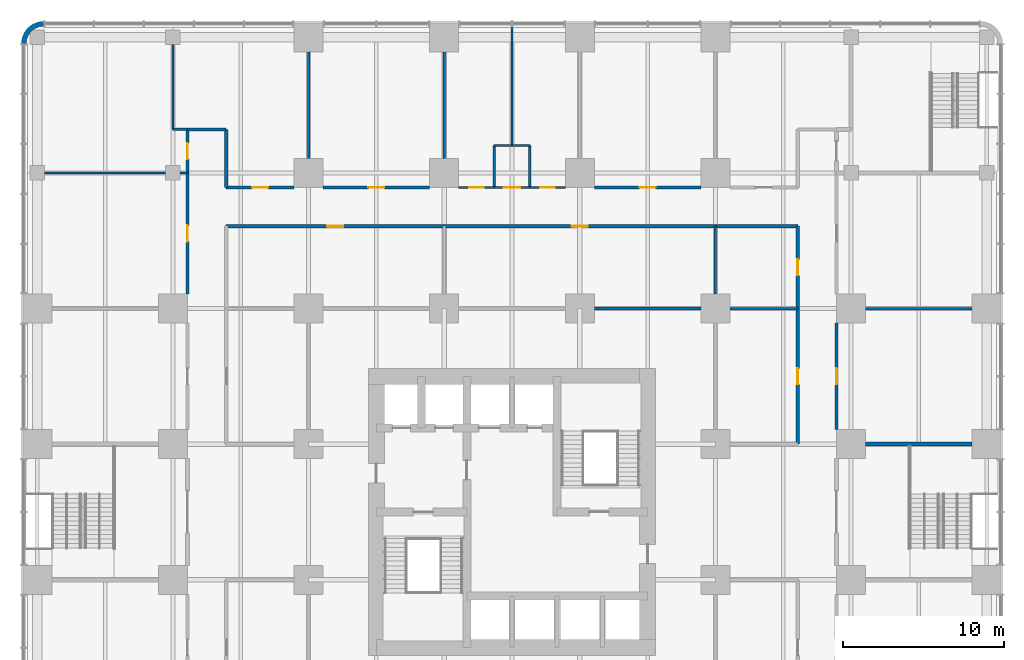
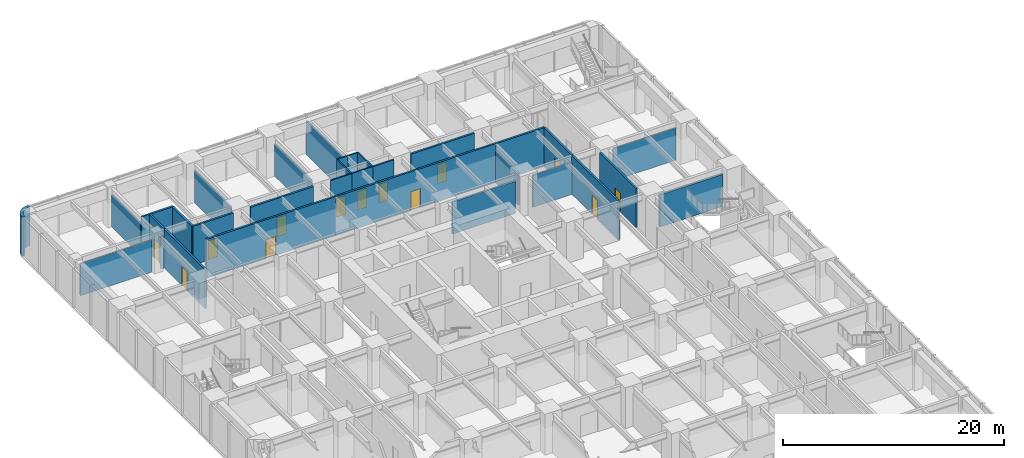
# One storey, part 14 of 19: 33 walls, 13 doors, 13 openings.
"""IFC4 building model written with IfcOpenShell, lengths in metres."""

from ifc_helpers import new_model, si_unit, direction, frame, frame_2d, origin, place, context, subcontext, project, spatial, polyline, rectangle, outline, extrude, material, layer, layer_set, type_object, element, fill, save


model = new_model("IFC4")

# Units and contexts
model_context = context("Model", 3, precision=1e-05, world=origin(), true_north=direction((0.0, 1.0)))
body_context = subcontext(model_context, "Body", "Model", "MODEL_VIEW")
ifc_project = project(units=[si_unit("LENGTHUNIT", "METRE"), si_unit("AREAUNIT", "SQUARE_METRE"), si_unit("VOLUMEUNIT", "CUBIC_METRE"), si_unit("PLANEANGLEUNIT", "RADIAN"), si_unit("MASSUNIT", "GRAM", prefix="KILO")], contexts=[model_context])

# Site, building, storey
site_placement = place(None, origin())
site = spatial("IfcSite", under=ifc_project, at=site_placement, CompositionType="ELEMENT")
building_placement = place(site_placement, origin())
building = spatial("IfcBuilding", under=site, at=building_placement, Name="Torre Alcanfor", CompositionType="ELEMENT")
storey_placement = place(building_placement, frame((0.0, 0.0, 6.0)))
storey = spatial("IfcBuildingStorey", under=building, at=storey_placement, Name="L01", CompositionType="ELEMENT", Elevation=6.0)

# Walls
ifc_material_1 = material(Name="Concrete block masonry, hollow blocks NMX-C-404 9 MPa", Category="masonry")
ifc_layer_1 = layer(ifc_material_1, 0.14990234375)
ifc_layer_set_1 = layer_set([ifc_layer_1], Name="Classroom partition 150")
wall_type_1 = type_object("IfcWallType", Name="Classroom partition 150", PredefinedType="PARTITIONING", material=ifc_layer_set_1)
wall_1_placement = place(storey_placement, frame((51.300048828125, 42.0, 0.0), z_axis=(0.0, 0.0, 1.0), x_axis=(1.0, 0.0, 0.0)))
element("IfcWall", 1, at=wall_1_placement, inside=storey, type_object=wall_type_1, Name="Partition L01-17 / L01-19", PredefinedType="PARTITIONING", context=body_context, shape_type="SweptSolid", body=[
    extrude(rectangle(XDim=6.599853515625, YDim=0.14990234375, at=frame_2d((3.2998046875, 0.0))), origin(), (0.0, 0.0, 1.0), 3.543212890625),
])
wall_2_placement = place(storey_placement, frame((0.449951171875, 50.39990234375, 0.0), z_axis=(0.0, 0.0, 1.0), x_axis=(1.0, 0.0, 0.0)))
element("IfcWall", 2, at=wall_2_placement, inside=storey, type_object=wall_type_1, Name="Partition L01-18 / L01-22", PredefinedType="PARTITIONING", context=body_context, shape_type="SweptSolid", body=[
    extrude(rectangle(XDim=7.5, YDim=0.14990234375, at=frame_2d((3.75, 0.0))), origin(), (0.0, 0.0, 1.0), 3.543212890625),
])
wall_3_placement = place(storey_placement, frame((8.85009765625, 50.39990234375, 0.0), z_axis=(0.0, 0.0, 1.0), x_axis=(1.0, 0.0, 0.0)))
element("IfcWall", 3, at=wall_3_placement, inside=storey, type_object=wall_type_1, Name="Partition L01-18 / L01-22", PredefinedType="PARTITIONING", context=body_context, shape_type="SweptSolid", body=[
    extrude(rectangle(XDim=0.449951171875, YDim=0.14990234375, at=frame_2d((0.22509765625, 0.0))), origin(), (0.0, 0.0, 1.0), 3.543212890625),
])
wall_4_placement = place(storey_placement, frame((16.800048828125, 51.300048828125, 0.0), z_axis=(0.0, 0.0, 1.0), x_axis=(0.0, 1.0, 0.0)))
element("IfcWall", 4, at=wall_4_placement, inside=storey, type_object=wall_type_1, Name="Partition L01-20 / L01-24", PredefinedType="PARTITIONING", context=body_context, shape_type="SweptSolid", body=[
    extrude(rectangle(XDim=6.599853515625, YDim=0.14990234375, at=frame_2d((3.2998046875, 0.0))), origin(), (0.0, 0.0, 1.0), 3.543212890625),
])
wall_5_placement = place(storey_placement, frame((8.39990234375, 58.35009765625, 0.0), z_axis=(0.0, 0.0, 1.0), x_axis=(0.0, -1.0, 0.0)))
element("IfcWall", 5, at=wall_5_placement, inside=storey, type_object=wall_type_1, Name="Partition L01-22 / L01-24", PredefinedType="PARTITIONING", context=body_context, shape_type="SweptSolid", body=[
    extrude(rectangle(XDim=5.25, YDim=0.14990234375, at=frame_2d((2.625, 0.0))), origin(), (0.0, 0.0, 1.0), 3.543212890625),
])
wall_6_placement = place(storey_placement, frame((8.39990234375, 53.10009765625, 0.0), z_axis=(0.0, 0.0, 1.0), x_axis=(1.0, 0.0, 0.0)))
element("IfcWall", 6, at=wall_6_placement, inside=storey, type_object=wall_type_1, Name="Partition L01-22 / L01-24", PredefinedType="PARTITIONING", context=body_context, shape_type="SweptSolid", body=[
    extrude(rectangle(XDim=0.900146484375, YDim=0.14990234375, at=frame_2d((0.4501953125, 0.0))), origin(), (0.0, 0.0, 1.0), 4.300048828125),
])
for number, where, z_axis, x_axis, name in (
    (7, (42.89990234375, 42.0, 0.0), (0.0, 0.0, 1.0), (1.0, 0.0, 0.0), "Partition L01-I11 / L01-I14"),
    (8, (42.0, 47.10009765625, 0.0), (0.0, 0.0, 1.0), (0.0, -1.0, 0.0), "Partition L01-I13 / L01-I14"),
):
    element("IfcWall", number, at=place(storey_placement, frame(where, z_axis=z_axis, x_axis=x_axis)), inside=storey, type_object=wall_type_1, Name=name, PredefinedType="PARTITIONING", context=body_context, shape_type="SweptSolid", body=[
        extrude(rectangle(XDim=4.2001953125, YDim=0.14990234375, at=frame_2d((2.10009765625, 0.0))), origin(), (0.0, 0.0, 1.0), 3.543212890625),
    ])
ifc_material_2 = material(Name="Limestone cladding", Category="masonry")
ifc_layer_2 = layer(ifc_material_2, 0.0400390625, Name="Facing")
ifc_material_3 = material(Name="Ventilated air cavity")
ifc_layer_3 = layer(ifc_material_3, 0.02001953125, ventilated=True, Name="Ventilated joint")
ifc_material_4 = material(Name="Mineral wool insulation", Category="insulation")
ifc_layer_4 = layer(ifc_material_4, 0.10009765625, Name="Insulation")
ifc_material_5 = material(Name="Concrete f'c 35 MPa", Category="concrete")
ifc_layer_5 = layer(ifc_material_5, 0.139892578125, Name="Backing")
ifc_layer_set_2 = layer_set([ifc_layer_2, ifc_layer_3, ifc_layer_4, ifc_layer_5], Name="Rounded corner pier stone-clad 300")
wall_type_2 = type_object("IfcWallType", Name="Rounded corner pier stone-clad 300", PredefinedType="SOLIDWALL", material=ifc_layer_set_2)
wall_7_placement = place(storey_placement, frame((0.444811019, 59.647901787, 0.0), z_axis=(0.0, 0.0, 1.0), x_axis=(-0.707106781187, 0.707106781187, 0.0)))
element("IfcWall", 9, at=wall_7_placement, inside=storey, type_object=wall_type_2, Name="Corner pier L01 6", PredefinedType="SOLIDWALL", context=body_context, shape_type="SweptSolid", body=[
    extrude(outline(polyline([(0.1391667998288333, 1.9041045383070583), (-0.10079375335703122, 1.719731969384394), (-0.08681044054548093, 1.7057486565728435), (0.09963373027519085, 1.4626807005399678), (0.20925599737808592, 1.1980335580695145), (0.24654483154222023, 0.9142240980424918), (0.2092559973780859, 0.6300693710324682), (0.09963373027519096, 0.3654222285620147), (-0.08681044054548079, 0.12235427252913894), (-0.10079375335703117, 0.10837095971758856), (0.139339433320334, -0.07582897571357508), (0.36169137037313503, 0.2141952900074698), (0.5015244984886389, 0.5518663993826864), (0.5491713421428104, 0.9140514645509912), (0.5016971319801394, 1.2764091632107966), (0.36169137037313503, 1.614252906077514), (0.1391667998288333, 1.9041045383070583)])), origin(), (0.0, 0.0, 1.0), 4.300048828125),
])

# Wall, opening, door
ifc_material_6 = material(Name="Concrete block masonry, hollow blocks NMX-C-404 9 MPa", Category="masonry")
ifc_layer_6 = layer(ifc_material_6, 0.199951171875)
ifc_layer_set_3 = layer_set([ifc_layer_6], Name="School corridor wall 200")
wall_type_3 = type_object("IfcWallType", Name="School corridor wall 200", PredefinedType="PARTITIONING", material=ifc_layer_set_3)
wall_8_placement = place(storey_placement, frame((49.5, 34.5, 0.0), z_axis=(0.0, 0.0, 1.0), x_axis=(0.0, 1.0, 0.0)))
wall_8 = element("IfcWall", 10, at=wall_8_placement, inside=storey, type_object=wall_type_3, Name="Partition L01-17 / L01-CORR", PredefinedType="PARTITIONING", context=body_context, shape_type="SweptSolid", body=[
    extrude(rectangle(XDim=6.60009765625, YDim=0.199951171875, at=frame_2d((3.300048828125, 0.0))), origin(), (0.0, 0.0, 1.0), 4.300048828125),
])
opening_1_placement = place(wall_8_placement, frame((2.800048828125, 0.0, 0.0)))
opening_1 = element("IfcOpeningElement", 11, at=opening_1_placement, cuts=wall_8, Name="Opening D-C1", PredefinedType="OPENING", context=body_context, shape_type="SweptSolid", body=[
    extrude(rectangle(XDim=1.0, YDim=2.10009765625, at=frame_2d((0.5, 1.050048828125))), frame((0.0, 0.10986328125, 0.0), z_axis=(0.0, -1.0, 0.0), x_axis=(1.0, 0.0, 0.0)), (0.0, 0.0, 1.0), 0.219970703125),
])
ifc_material_7 = material(Name="Timber", Category="wood")
door_type_1 = type_object("IfcDoorType", Name="Classroom door 1000x2100", OperationType="SINGLE_SWING_RIGHT", PredefinedType="DOOR", material=ifc_material_7)
door_1_placement = place(opening_1_placement, frame((1.0, 0.0, 0.0), z_axis=(0.0, 0.0, 1.0), x_axis=(-1.0, 0.0, 0.0)))
door_1 = element("IfcDoor", 12, at=door_1_placement, inside=storey, type_object=door_type_1, Name="Door L01-17 classroom", OperationType="SINGLE_SWING_RIGHT", OverallHeight=2.10009765625, OverallWidth=1.0, PredefinedType="DOOR", context=body_context, shape_type="SweptSolid", body=[
    extrude(rectangle(XDim=1.0, YDim=2.10009765625, at=frame_2d((0.5, 1.050048828125))), frame((0.0, 0.025146484375, 0.0), z_axis=(0.0, -1.0, 0.0), x_axis=(1.0, 0.0, 0.0)), (0.0, 0.0, 1.0), 0.050048828125),
])
fill(opening_1, door_1)

wall_9_placement = place(storey_placement, frame((9.300048828125, 50.39990234375, 0.0), z_axis=(0.0, 0.0, 1.0), x_axis=(0.0, -1.0, 0.0)))
wall_9 = element("IfcWall", 13, at=wall_9_placement, inside=storey, type_object=wall_type_3, Name="Partition L01-18 / L01-CORR", PredefinedType="PARTITIONING", context=body_context, shape_type="SweptSolid", body=[
    extrude(rectangle(XDim=7.5, YDim=0.199951171875, at=frame_2d((3.75, 0.0))), origin(), (0.0, 0.0, 1.0), 4.300048828125),
])
opening_2_placement = place(wall_9_placement, frame((3.25, 0.0, 0.0)))
opening_2 = element("IfcOpeningElement", 14, at=opening_2_placement, cuts=wall_9, Name="Opening D-C1", PredefinedType="OPENING", context=body_context, shape_type="SweptSolid", body=[
    extrude(rectangle(XDim=1.0, YDim=2.10009765625, at=frame_2d((0.5, 1.050048828125))), frame((0.0, 0.10986328125, 0.0), z_axis=(0.0, -1.0, 0.0), x_axis=(1.0, 0.0, 0.0)), (0.0, 0.0, 1.0), 0.219970703125),
])
door_2_placement = place(opening_2_placement, frame((1.0, 0.0, 0.0), z_axis=(0.0, 0.0, 1.0), x_axis=(-1.0, 0.0, 0.0)))
door_2 = element("IfcDoor", 15, at=door_2_placement, inside=storey, type_object=door_type_1, Name="Door L01-18 classroom", OperationType="SINGLE_SWING_RIGHT", OverallHeight=2.10009765625, OverallWidth=1.0, PredefinedType="DOOR", context=body_context, shape_type="SweptSolid", body=[
    extrude(rectangle(XDim=1.0, YDim=2.10009765625, at=frame_2d((0.5, 1.050048828125))), frame((0.0, 0.025146484375, 0.0), z_axis=(0.0, -1.0, 0.0), x_axis=(1.0, 0.0, 0.0)), (0.0, 0.0, 1.0), 0.050048828125),
])
fill(opening_2, door_2)

wall_10_placement = place(storey_placement, frame((24.300048828125, 49.5, 0.0), z_axis=(0.0, 0.0, 1.0), x_axis=(-1.0, 0.0, 0.0)))
wall_10 = element("IfcWall", 16, at=wall_10_placement, inside=storey, type_object=wall_type_3, Name="Partition L01-20 / L01-CORR", PredefinedType="PARTITIONING", context=body_context, shape_type="SweptSolid", body=[
    extrude(rectangle(XDim=6.60009765625, YDim=0.199951171875, at=frame_2d((3.300048828125, 0.0))), origin(), (0.0, 0.0, 1.0), 4.300048828125),
])
opening_3_placement = place(wall_10_placement, frame((2.800048828125, 0.0, 0.0)))
opening_3 = element("IfcOpeningElement", 17, at=opening_3_placement, cuts=wall_10, Name="Opening D-C1", PredefinedType="OPENING", context=body_context, shape_type="SweptSolid", body=[
    extrude(rectangle(XDim=1.0, YDim=2.10009765625, at=frame_2d((0.5, 1.050048828125))), frame((0.0, 0.10986328125, 0.0), z_axis=(0.0, -1.0, 0.0), x_axis=(1.0, 0.0, 0.0)), (0.0, 0.0, 1.0), 0.219970703125),
])
door_3_placement = place(opening_3_placement, frame((1.0, 0.0, 0.0), z_axis=(0.0, 0.0, 1.0), x_axis=(-1.0, 0.0, 0.0)))
door_3 = element("IfcDoor", 18, at=door_3_placement, inside=storey, type_object=door_type_1, Name="Door L01-20 classroom", OperationType="SINGLE_SWING_RIGHT", OverallHeight=2.10009765625, OverallWidth=1.0, PredefinedType="DOOR", context=body_context, shape_type="SweptSolid", body=[
    extrude(rectangle(XDim=1.0, YDim=2.10009765625, at=frame_2d((0.5, 1.050048828125))), frame((0.0, 0.025146484375, 0.0), z_axis=(0.0, -1.0, 0.0), x_axis=(1.0, 0.0, 0.0)), (0.0, 0.0, 1.0), 0.050048828125),
])
fill(opening_3, door_3)

wall_11_placement = place(storey_placement, frame((41.10009765625, 49.5, 0.0), z_axis=(0.0, 0.0, 1.0), x_axis=(-1.0, 0.0, 0.0)))
wall_11 = element("IfcWall", 19, at=wall_11_placement, inside=storey, type_object=wall_type_3, Name="Partition L01-21 / L01-CORR", PredefinedType="PARTITIONING", context=body_context, shape_type="SweptSolid", body=[
    extrude(rectangle(XDim=6.60009765625, YDim=0.199951171875, at=frame_2d((3.300048828125, 0.0))), origin(), (0.0, 0.0, 1.0), 4.300048828125),
])
opening_4_placement = place(wall_11_placement, frame((2.800048828125, 0.0, 0.0)))
opening_4 = element("IfcOpeningElement", 20, at=opening_4_placement, cuts=wall_11, Name="Opening D-C1", PredefinedType="OPENING", context=body_context, shape_type="SweptSolid", body=[
    extrude(rectangle(XDim=1.0, YDim=2.10009765625, at=frame_2d((0.5, 1.050048828125))), frame((0.0, 0.10986328125, 0.0), z_axis=(0.0, -1.0, 0.0), x_axis=(1.0, 0.0, 0.0)), (0.0, 0.0, 1.0), 0.219970703125),
])
door_4_placement = place(opening_4_placement, frame((1.0, 0.0, 0.0), z_axis=(0.0, 0.0, 1.0), x_axis=(-1.0, 0.0, 0.0)))
door_4 = element("IfcDoor", 21, at=door_4_placement, inside=storey, type_object=door_type_1, Name="Door L01-21 classroom", OperationType="SINGLE_SWING_RIGHT", OverallHeight=2.10009765625, OverallWidth=1.0, PredefinedType="DOOR", context=body_context, shape_type="SweptSolid", body=[
    extrude(rectangle(XDim=1.0, YDim=2.10009765625, at=frame_2d((0.5, 1.050048828125))), frame((0.0, 0.025146484375, 0.0), z_axis=(0.0, -1.0, 0.0), x_axis=(1.0, 0.0, 0.0)), (0.0, 0.0, 1.0), 0.050048828125),
])
fill(opening_4, door_4)

wall_12_placement = place(storey_placement, frame((9.300048828125, 53.10009765625, 0.0), z_axis=(0.0, 0.0, 1.0), x_axis=(0.0, -1.0, 0.0)))
wall_12 = element("IfcWall", 22, at=wall_12_placement, inside=storey, type_object=wall_type_3, Name="Partition L01-22 / L01-CORR", PredefinedType="PARTITIONING", context=body_context, shape_type="SweptSolid", body=[
    extrude(rectangle(XDim=2.7001953125, YDim=0.199951171875, at=frame_2d((1.35009765625, 0.0))), origin(), (0.0, 0.0, 1.0), 4.300048828125),
])
opening_5_placement = place(wall_12_placement, frame((0.85009765625, 0.0, 0.0)))
opening_5 = element("IfcOpeningElement", 23, at=opening_5_placement, cuts=wall_12, Name="Opening D-C1", PredefinedType="OPENING", context=body_context, shape_type="SweptSolid", body=[
    extrude(rectangle(XDim=1.0, YDim=2.10009765625, at=frame_2d((0.5, 1.050048828125))), frame((0.0, 0.10986328125, 0.0), z_axis=(0.0, -1.0, 0.0), x_axis=(1.0, 0.0, 0.0)), (0.0, 0.0, 1.0), 0.219970703125),
])
door_5_placement = place(opening_5_placement, frame((1.0, 0.0, 0.0), z_axis=(0.0, 0.0, 1.0), x_axis=(-1.0, 0.0, 0.0)))
door_5 = element("IfcDoor", 24, at=door_5_placement, inside=storey, type_object=door_type_1, Name="Door L01-22 classroom", OperationType="SINGLE_SWING_RIGHT", OverallHeight=2.10009765625, OverallWidth=1.0, PredefinedType="DOOR", context=body_context, shape_type="SweptSolid", body=[
    extrude(rectangle(XDim=1.0, YDim=2.10009765625, at=frame_2d((0.5, 1.050048828125))), frame((0.0, 0.025146484375, 0.0), z_axis=(0.0, -1.0, 0.0), x_axis=(1.0, 0.0, 0.0)), (0.0, 0.0, 1.0), 0.050048828125),
])
fill(opening_5, door_5)

wall_13_placement = place(storey_placement, frame((15.89990234375, 49.5, 0.0), z_axis=(0.0, 0.0, 1.0), x_axis=(-1.0, 0.0, 0.0)))
wall_13 = element("IfcWall", 25, at=wall_13_placement, inside=storey, type_object=wall_type_3, Name="Partition L01-24 / L01-CORR", PredefinedType="PARTITIONING", context=body_context, shape_type="SweptSolid", body=[
    extrude(rectangle(XDim=4.199951171875, YDim=0.199951171875, at=frame_2d((2.10009765625, 0.0))), origin(), (0.0, 0.0, 1.0), 4.300048828125),
])
opening_6_placement = place(wall_13_placement, frame((1.60009765625, 0.0, 0.0)))
opening_6 = element("IfcOpeningElement", 26, at=opening_6_placement, cuts=wall_13, Name="Opening D-C1", PredefinedType="OPENING", context=body_context, shape_type="SweptSolid", body=[
    extrude(rectangle(XDim=1.0, YDim=2.10009765625, at=frame_2d((0.5, 1.050048828125))), frame((0.0, 0.10986328125, 0.0), z_axis=(0.0, -1.0, 0.0), x_axis=(1.0, 0.0, 0.0)), (0.0, 0.0, 1.0), 0.219970703125),
])
door_6_placement = place(opening_6_placement, frame((1.0, 0.0, 0.0), z_axis=(0.0, 0.0, 1.0), x_axis=(-1.0, 0.0, 0.0)))
door_6 = element("IfcDoor", 27, at=door_6_placement, inside=storey, type_object=door_type_1, Name="Door L01-24 classroom", OperationType="SINGLE_SWING_RIGHT", OverallHeight=2.10009765625, OverallWidth=1.0, PredefinedType="DOOR", context=body_context, shape_type="SweptSolid", body=[
    extrude(rectangle(XDim=1.0, YDim=2.10009765625, at=frame_2d((0.5, 1.050048828125))), frame((0.0, 0.025146484375, 0.0), z_axis=(0.0, -1.0, 0.0), x_axis=(1.0, 0.0, 0.0)), (0.0, 0.0, 1.0), 0.050048828125),
])
fill(opening_6, door_6)

# Walls
wall_14_placement = place(storey_placement, frame((11.699951171875, 49.5, 0.0), z_axis=(0.0, 0.0, 1.0), x_axis=(0.0, 1.0, 0.0)))
element("IfcWall", 28, at=wall_14_placement, inside=storey, type_object=wall_type_3, Name="Partition L01-24 / L01-CORR", PredefinedType="PARTITIONING", context=body_context, shape_type="SweptSolid", body=[
    extrude(rectangle(XDim=3.60009765625, YDim=0.199951171875, at=frame_2d((1.800048828125, 0.0))), origin(), (0.0, 0.0, 1.0), 4.300048828125),
])
wall_15_placement = place(storey_placement, frame((11.699951171875, 53.10009765625, 0.0), z_axis=(0.0, 0.0, 1.0), x_axis=(-1.0, 0.0, 0.0)))
element("IfcWall", 29, at=wall_15_placement, inside=storey, type_object=wall_type_3, Name="Partition L01-24 / L01-CORR", PredefinedType="PARTITIONING", context=body_context, shape_type="SweptSolid", body=[
    extrude(rectangle(XDim=2.39990234375, YDim=0.199951171875, at=frame_2d((1.199951171875, 0.0))), origin(), (0.0, 0.0, 1.0), 4.300048828125),
])

# Wall, opening, door
wall_16_placement = place(storey_placement, frame((47.10009765625, 33.60009765625, 0.0), z_axis=(0.0, 0.0, 1.0), x_axis=(0.0, 1.0, 0.0)))
wall_16 = element("IfcWall", 30, at=wall_16_placement, inside=storey, type_object=wall_type_3, Name="Partition L01-CORR / L01-I11", PredefinedType="PARTITIONING", context=body_context, shape_type="SweptSolid", body=[
    extrude(rectangle(XDim=8.39990234375, YDim=0.199951171875, at=frame_2d((4.199951171875, 0.0))), origin(), (0.0, 0.0, 1.0), 4.300048828125),
])
opening_7_placement = place(wall_16_placement, frame((3.699951171875, 0.0, 0.0)))
opening_7 = element("IfcOpeningElement", 31, at=opening_7_placement, cuts=wall_16, Name="Opening D-C1", PredefinedType="OPENING", context=body_context, shape_type="SweptSolid", body=[
    extrude(rectangle(XDim=1.0, YDim=2.10009765625, at=frame_2d((0.5, 1.050048828125))), frame((0.0, 0.10986328125, 0.0), z_axis=(0.0, -1.0, 0.0), x_axis=(1.0, 0.0, 0.0)), (0.0, 0.0, 1.0), 0.219970703125),
])
door_7_placement = place(opening_7_placement, origin())
door_7 = element("IfcDoor", 32, at=door_7_placement, inside=storey, type_object=door_type_1, Name="Door L01-I11 practice room", OperationType="SINGLE_SWING_LEFT", OverallHeight=2.10009765625, OverallWidth=1.0, PredefinedType="DOOR", context=body_context, shape_type="SweptSolid", body=[
    extrude(rectangle(XDim=1.0, YDim=2.10009765625, at=frame_2d((0.5, 1.050048828125))), frame((0.0, 0.02490234375, 0.0), z_axis=(0.0, -1.0, 0.0), x_axis=(1.0, 0.0, 0.0)), (0.0, 0.0, 1.0), 0.050048828125),
])
fill(opening_7, door_7)

wall_17_placement = place(storey_placement, frame((25.199951171875, 47.10009765625, 0.0), z_axis=(0.0, 0.0, 1.0), x_axis=(-1.0, 0.0, 0.0)))
wall_17 = element("IfcWall", 33, at=wall_17_placement, inside=storey, type_object=wall_type_3, Name="Partition L01-CORR / L01-I12", PredefinedType="PARTITIONING", context=body_context, shape_type="SweptSolid", body=[
    extrude(rectangle(XDim=13.5, YDim=0.199951171875, at=frame_2d((6.75, 0.0))), origin(), (0.0, 0.0, 1.0), 4.300048828125),
])
opening_8_placement = place(wall_17_placement, frame((6.25, 0.0, 0.0)))
opening_8 = element("IfcOpeningElement", 34, at=opening_8_placement, cuts=wall_17, Name="Opening D-C1", PredefinedType="OPENING", context=body_context, shape_type="SweptSolid", body=[
    extrude(rectangle(XDim=1.0, YDim=2.10009765625, at=frame_2d((0.5, 1.050048828125))), frame((0.0, 0.10986328125, 0.0), z_axis=(0.0, -1.0, 0.0), x_axis=(1.0, 0.0, 0.0)), (0.0, 0.0, 1.0), 0.219970703125),
])
door_8_placement = place(opening_8_placement, origin())
door_8 = element("IfcDoor", 35, at=door_8_placement, inside=storey, type_object=door_type_1, Name="Door L01-I12 art room", OperationType="SINGLE_SWING_LEFT", OverallHeight=2.10009765625, OverallWidth=1.0, PredefinedType="DOOR", context=body_context, shape_type="SweptSolid", body=[
    extrude(rectangle(XDim=1.0, YDim=2.10009765625, at=frame_2d((0.5, 1.050048828125))), frame((0.0, 0.02490234375, 0.0), z_axis=(0.0, -1.0, 0.0), x_axis=(1.0, 0.0, 0.0)), (0.0, 0.0, 1.0), 0.050048828125),
])
fill(opening_8, door_8)

wall_18_placement = place(storey_placement, frame((42.0, 47.10009765625, 0.0), z_axis=(0.0, 0.0, 1.0), x_axis=(-1.0, 0.0, 0.0)))
wall_18 = element("IfcWall", 36, at=wall_18_placement, inside=storey, type_object=wall_type_3, Name="Partition L01-CORR / L01-I13", PredefinedType="PARTITIONING", context=body_context, shape_type="SweptSolid", body=[
    extrude(rectangle(XDim=16.800048828125, YDim=0.199951171875, at=frame_2d((8.39990234375, 0.0))), origin(), (0.0, 0.0, 1.0), 4.300048828125),
])
opening_9_placement = place(wall_18_placement, frame((7.89990234375, 0.0, 0.0)))
opening_9 = element("IfcOpeningElement", 37, at=opening_9_placement, cuts=wall_18, Name="Opening D-C1", PredefinedType="OPENING", context=body_context, shape_type="SweptSolid", body=[
    extrude(rectangle(XDim=1.0, YDim=2.10009765625, at=frame_2d((0.5, 1.050048828125))), frame((0.0, 0.10986328125, 0.0), z_axis=(0.0, -1.0, 0.0), x_axis=(1.0, 0.0, 0.0)), (0.0, 0.0, 1.0), 0.219970703125),
])
door_9_placement = place(opening_9_placement, origin())
door_9 = element("IfcDoor", 38, at=door_9_placement, inside=storey, type_object=door_type_1, Name="Door L01-I13 music room", OperationType="SINGLE_SWING_LEFT", OverallHeight=2.10009765625, OverallWidth=1.0, PredefinedType="DOOR", context=body_context, shape_type="SweptSolid", body=[
    extrude(rectangle(XDim=1.0, YDim=2.10009765625, at=frame_2d((0.5, 1.050048828125))), frame((0.0, 0.02490234375, 0.0), z_axis=(0.0, -1.0, 0.0), x_axis=(1.0, 0.0, 0.0)), (0.0, 0.0, 1.0), 0.050048828125),
])
fill(opening_9, door_9)

wall_19_placement = place(storey_placement, frame((47.10009765625, 42.0, 0.0), z_axis=(0.0, 0.0, 1.0), x_axis=(0.0, 1.0, 0.0)))
wall_19 = element("IfcWall", 39, at=wall_19_placement, inside=storey, type_object=wall_type_3, Name="Partition L01-CORR / L01-I14", PredefinedType="PARTITIONING", context=body_context, shape_type="SweptSolid", body=[
    extrude(rectangle(XDim=5.10009765625, YDim=0.199951171875, at=frame_2d((2.550048828125, 0.0))), origin(), (0.0, 0.0, 1.0), 4.300048828125),
])
opening_10_placement = place(wall_19_placement, frame((2.050048828125, 0.0, 0.0)))
opening_10 = element("IfcOpeningElement", 40, at=opening_10_placement, cuts=wall_19, Name="Opening D-C1", PredefinedType="OPENING", context=body_context, shape_type="SweptSolid", body=[
    extrude(rectangle(XDim=1.0, YDim=2.10009765625, at=frame_2d((0.5, 1.050048828125))), frame((0.0, 0.10986328125, 0.0), z_axis=(0.0, -1.0, 0.0), x_axis=(1.0, 0.0, 0.0)), (0.0, 0.0, 1.0), 0.219970703125),
])
door_10_placement = place(opening_10_placement, origin())
door_10 = element("IfcDoor", 41, at=door_10_placement, inside=storey, type_object=door_type_1, Name="Door L01-I14 store", OperationType="SINGLE_SWING_LEFT", OverallHeight=2.10009765625, OverallWidth=1.0, PredefinedType="DOOR", context=body_context, shape_type="SweptSolid", body=[
    extrude(rectangle(XDim=1.0, YDim=2.10009765625, at=frame_2d((0.5, 1.050048828125))), frame((0.0, 0.02490234375, 0.0), z_axis=(0.0, -1.0, 0.0), x_axis=(1.0, 0.0, 0.0)), (0.0, 0.0, 1.0), 0.050048828125),
])
fill(opening_10, door_10)

# Walls
wall_20_placement = place(storey_placement, frame((47.10009765625, 47.10009765625, 0.0), z_axis=(0.0, 0.0, 1.0), x_axis=(-1.0, 0.0, 0.0)))
element("IfcWall", 42, at=wall_20_placement, inside=storey, type_object=wall_type_3, Name="Partition L01-CORR / L01-I14", PredefinedType="PARTITIONING", context=body_context, shape_type="SweptSolid", body=[
    extrude(rectangle(XDim=5.10009765625, YDim=0.199951171875, at=frame_2d((2.550048828125, 0.0))), origin(), (0.0, 0.0, 1.0), 4.300048828125),
])
wall_21_placement = place(storey_placement, frame((34.5, 42.0, 0.0), z_axis=(0.0, 0.0, 1.0), x_axis=(1.0, 0.0, 0.0)))
element("IfcWall", 43, at=wall_21_placement, inside=storey, type_object=wall_type_3, Name="Partition L01-LLE / L01-I13", PredefinedType="PARTITIONING", context=body_context, shape_type="SweptSolid", body=[
    extrude(rectangle(XDim=6.60009765625, YDim=0.199951171875, at=frame_2d((3.300048828125, 0.0))), origin(), (0.0, 0.0, 1.0), 3.543212890625),
])
ifc_material_8 = material(Name="Reinforced concrete block masonry, hollow blocks NMX-C-404 9 MPa", Category="masonry")
ifc_layer_7 = layer(ifc_material_8, 0.25)
ifc_layer_set_4 = layer_set([ifc_layer_7], Name="Stair enclosure wall 250 EI 120")
wall_type_4 = type_object("IfcWallType", Name="Stair enclosure wall 250 EI 120", PredefinedType="SOLIDWALL", material=ifc_layer_set_4)
wall_22_placement = place(storey_placement, frame((51.300048828125, 33.60009765625, 0.0), z_axis=(0.0, 0.0, 1.0), x_axis=(1.0, 0.0, 0.0)))
element("IfcWall", 44, at=wall_22_placement, inside=storey, type_object=wall_type_4, Name="Partition L01-SS2 / L01-17", PredefinedType="SOLIDWALL", context=body_context, shape_type="SweptSolid", body=[
    extrude(rectangle(XDim=6.599853515625, YDim=0.25, at=frame_2d((3.2998046875, 0.0))), origin(), (0.0, 0.0, 1.0), 3.543212890625),
])
ifc_material_9 = material(Name="Cement board on steel studs", Category="steel")
ifc_layer_8 = layer(ifc_material_9, 0.14990234375)
ifc_layer_set_5 = layer_set([ifc_layer_8], Name="Wet area partition 150")
wall_type_5 = type_object("IfcWallType", Name="Wet area partition 150", PredefinedType="PARTITIONING", material=ifc_layer_set_5)
wall_23_placement = place(storey_placement, frame((29.39990234375, 52.10009765625, 0.0), z_axis=(0.0, 0.0, 1.0), x_axis=(-1.0, 0.0, 0.0)))
element("IfcWall", 45, at=wall_23_placement, inside=storey, type_object=wall_type_5, Name="Partition L01-WCN1 / L01-WCN2", PredefinedType="PARTITIONING", context=body_context, shape_type="SweptSolid", body=[
    extrude(rectangle(XDim=1.099853515625, YDim=0.14990234375, at=frame_2d((0.5498046875, 0.0))), origin(), (0.0, 0.0, 1.0), 4.300048828125),
])
wall_24_placement = place(storey_placement, frame((28.300048828125, 52.10009765625, 0.0), z_axis=(0.0, 0.0, 1.0), x_axis=(0.0, -1.0, 0.0)))
element("IfcWall", 46, at=wall_24_placement, inside=storey, type_object=wall_type_5, Name="Partition L01-WCN1 / L01-WCN2", PredefinedType="PARTITIONING", context=body_context, shape_type="SweptSolid", body=[
    extrude(rectangle(XDim=2.60009765625, YDim=0.14990234375, at=frame_2d((1.300048828125, 0.0))), origin(), (0.0, 0.0, 1.0), 4.300048828125),
])
wall_25_placement = place(storey_placement, frame((29.39990234375, 59.5, 0.0), z_axis=(0.0, 0.0, 1.0), x_axis=(0.0, -1.0, 0.0)))
element("IfcWall", 47, at=wall_25_placement, inside=storey, type_object=wall_type_5, Name="Partition L01-WCN1 / L01-WCN3", PredefinedType="PARTITIONING", context=body_context, shape_type="SweptSolid", body=[
    extrude(rectangle(XDim=7.39990234375, YDim=0.14990234375, at=frame_2d((3.699951171875, 0.0))), origin(), (0.0, 0.0, 1.0), 3.68798828125),
])
wall_26_placement = place(storey_placement, frame((25.199951171875, 51.300048828125, 0.0), z_axis=(0.0, 0.0, 1.0), x_axis=(0.0, 1.0, 0.0)))
element("IfcWall", 48, at=wall_26_placement, inside=storey, type_object=wall_type_5, Name="Partition L01-WCN1 / L01-20", PredefinedType="PARTITIONING", context=body_context, shape_type="SweptSolid", body=[
    extrude(rectangle(XDim=6.599853515625, YDim=0.14990234375, at=frame_2d((3.2998046875, 0.0))), origin(), (0.0, 0.0, 1.0), 3.543212890625),
])

# Wall, opening, door
wall_27_placement = place(storey_placement, frame((28.300048828125, 49.5, 0.0), z_axis=(0.0, 0.0, 1.0), x_axis=(-1.0, 0.0, 0.0)))
wall_27 = element("IfcWall", 49, at=wall_27_placement, inside=storey, type_object=wall_type_5, Name="Partition L01-WCN1 / L01-CORR", PredefinedType="PARTITIONING", context=body_context, shape_type="SweptSolid", body=[
    extrude(rectangle(XDim=2.199951171875, YDim=0.14990234375, at=frame_2d((1.10009765625, 0.0))), origin(), (0.0, 0.0, 1.0), 4.300048828125),
])
opening_11_placement = place(wall_27_placement, frame((0.64990234375, 0.0, 0.0)))
opening_11 = element("IfcOpeningElement", 50, at=opening_11_placement, cuts=wall_27, Name="Opening D-W1", PredefinedType="OPENING", context=body_context, shape_type="SweptSolid", body=[
    extrude(rectangle(XDim=0.89990234375, YDim=2.10009765625, at=frame_2d((0.449951171875, 1.050048828125))), frame((0.0, 0.0849609375, 0.0), z_axis=(0.0, -1.0, 0.0), x_axis=(1.0, 0.0, 0.0)), (0.0, 0.0, 1.0), 0.169921875),
])
ifc_material_10 = material(Name="Timber", Category="wood")
door_type_2 = type_object("IfcDoorType", Name="Toilet door 900x2100", OperationType="SINGLE_SWING_LEFT", PredefinedType="DOOR", material=ifc_material_10)
door_11_placement = place(opening_11_placement, frame((0.89990234375, 0.0, 0.0), z_axis=(0.0, 0.0, 1.0), x_axis=(-1.0, 0.0, 0.0)))
door_11 = element("IfcDoor", 51, at=door_11_placement, inside=storey, type_object=door_type_2, Name="Door L01-WCN1 boys toilets", OperationType="SINGLE_SWING_RIGHT", OverallHeight=2.10009765625, OverallWidth=0.89990234375, PredefinedType="DOOR", context=body_context, shape_type="SweptSolid", body=[
    extrude(rectangle(XDim=0.89990234375, YDim=2.10009765625, at=frame_2d((0.449951171875, 1.050048828125))), frame((0.0, 0.025146484375, 0.0), z_axis=(0.0, -1.0, 0.0), x_axis=(1.0, 0.0, 0.0)), (0.0, 0.0, 1.0), 0.050048828125),
])
fill(opening_11, door_11)

# Walls
wall_28_placement = place(storey_placement, frame((29.39990234375, 52.10009765625, 0.0), z_axis=(0.0, 0.0, 1.0), x_axis=(1.0, 0.0, 0.0)))
element("IfcWall", 52, at=wall_28_placement, inside=storey, type_object=wall_type_5, Name="Partition L01-WCN2 / L01-WCN3", PredefinedType="PARTITIONING", context=body_context, shape_type="SweptSolid", body=[
    extrude(rectangle(XDim=1.10009765625, YDim=0.14990234375, at=frame_2d((0.550048828125, 0.0))), origin(), (0.0, 0.0, 1.0), 4.300048828125),
])
wall_29_placement = place(storey_placement, frame((30.5, 52.10009765625, 0.0), z_axis=(0.0, 0.0, 1.0), x_axis=(0.0, -1.0, 0.0)))
element("IfcWall", 53, at=wall_29_placement, inside=storey, type_object=wall_type_5, Name="Partition L01-WCN2 / L01-WCN3", PredefinedType="PARTITIONING", context=body_context, shape_type="SweptSolid", body=[
    extrude(rectangle(XDim=2.60009765625, YDim=0.14990234375, at=frame_2d((1.300048828125, 0.0))), origin(), (0.0, 0.0, 1.0), 4.300048828125),
])

# Wall, opening, door
wall_30_placement = place(storey_placement, frame((30.5, 49.5, 0.0), z_axis=(0.0, 0.0, 1.0), x_axis=(-1.0, 0.0, 0.0)))
wall_30 = element("IfcWall", 54, at=wall_30_placement, inside=storey, type_object=wall_type_5, Name="Partition L01-WCN2 / L01-CORR", PredefinedType="PARTITIONING", context=body_context, shape_type="SweptSolid", body=[
    extrude(rectangle(XDim=2.199951171875, YDim=0.14990234375, at=frame_2d((1.10009765625, 0.0))), origin(), (0.0, 0.0, 1.0), 4.300048828125),
])
opening_12_placement = place(wall_30_placement, frame((0.60009765625, 0.0, 0.0)))
opening_12 = element("IfcOpeningElement", 55, at=opening_12_placement, cuts=wall_30, Name="Opening D-W2", PredefinedType="OPENING", context=body_context, shape_type="SweptSolid", body=[
    extrude(rectangle(XDim=1.0, YDim=2.10009765625, at=frame_2d((0.5, 1.050048828125))), frame((0.0, 0.0849609375, 0.0), z_axis=(0.0, -1.0, 0.0), x_axis=(1.0, 0.0, 0.0)), (0.0, 0.0, 1.0), 0.169921875),
])
ifc_material_11 = material(Name="Timber", Category="wood")
door_type_3 = type_object("IfcDoorType", Name="Accessible WC door 1000x2100", OperationType="SINGLE_SWING_LEFT", PredefinedType="DOOR", material=ifc_material_11)
door_12_placement = place(opening_12_placement, origin())
door_12 = element("IfcDoor", 56, at=door_12_placement, inside=storey, type_object=door_type_3, Name="Door L01-WCN2 accessible wc", OperationType="SINGLE_SWING_LEFT", OverallHeight=2.10009765625, OverallWidth=1.0, PredefinedType="DOOR", context=body_context, shape_type="SweptSolid", body=[
    extrude(rectangle(XDim=1.0, YDim=2.10009765625, at=frame_2d((0.5, 1.050048828125))), frame((0.0, 0.02490234375, 0.0), z_axis=(0.0, -1.0, 0.0), x_axis=(1.0, 0.0, 0.0)), (0.0, 0.0, 1.0), 0.050048828125),
])
fill(opening_12, door_12)

wall_31_placement = place(storey_placement, frame((32.699951171875, 49.5, 0.0), z_axis=(0.0, 0.0, 1.0), x_axis=(-1.0, 0.0, 0.0)))
wall_31 = element("IfcWall", 57, at=wall_31_placement, inside=storey, type_object=wall_type_5, Name="Partition L01-WCN3 / L01-CORR", PredefinedType="PARTITIONING", context=body_context, shape_type="SweptSolid", body=[
    extrude(rectangle(XDim=2.199951171875, YDim=0.14990234375, at=frame_2d((1.10009765625, 0.0))), origin(), (0.0, 0.0, 1.0), 4.300048828125),
])
opening_13_placement = place(wall_31_placement, frame((0.64990234375, 0.0, 0.0)))
opening_13 = element("IfcOpeningElement", 58, at=opening_13_placement, cuts=wall_31, Name="Opening D-W1", PredefinedType="OPENING", context=body_context, shape_type="SweptSolid", body=[
    extrude(rectangle(XDim=0.89990234375, YDim=2.10009765625, at=frame_2d((0.449951171875, 1.050048828125))), frame((0.0, 0.0849609375, 0.0), z_axis=(0.0, -1.0, 0.0), x_axis=(1.0, 0.0, 0.0)), (0.0, 0.0, 1.0), 0.169921875),
])
door_13_placement = place(opening_13_placement, frame((0.89990234375, 0.0, 0.0), z_axis=(0.0, 0.0, 1.0), x_axis=(-1.0, 0.0, 0.0)))
door_13 = element("IfcDoor", 59, at=door_13_placement, inside=storey, type_object=door_type_2, Name="Door L01-WCN3 girls toilets", OperationType="SINGLE_SWING_RIGHT", OverallHeight=2.10009765625, OverallWidth=0.89990234375, PredefinedType="DOOR", context=body_context, shape_type="SweptSolid", body=[
    extrude(rectangle(XDim=0.89990234375, YDim=2.10009765625, at=frame_2d((0.449951171875, 1.050048828125))), frame((0.0, 0.025146484375, 0.0), z_axis=(0.0, -1.0, 0.0), x_axis=(1.0, 0.0, 0.0)), (0.0, 0.0, 1.0), 0.050048828125),
])
fill(opening_13, door_13)

save(model, "model.ifc")
